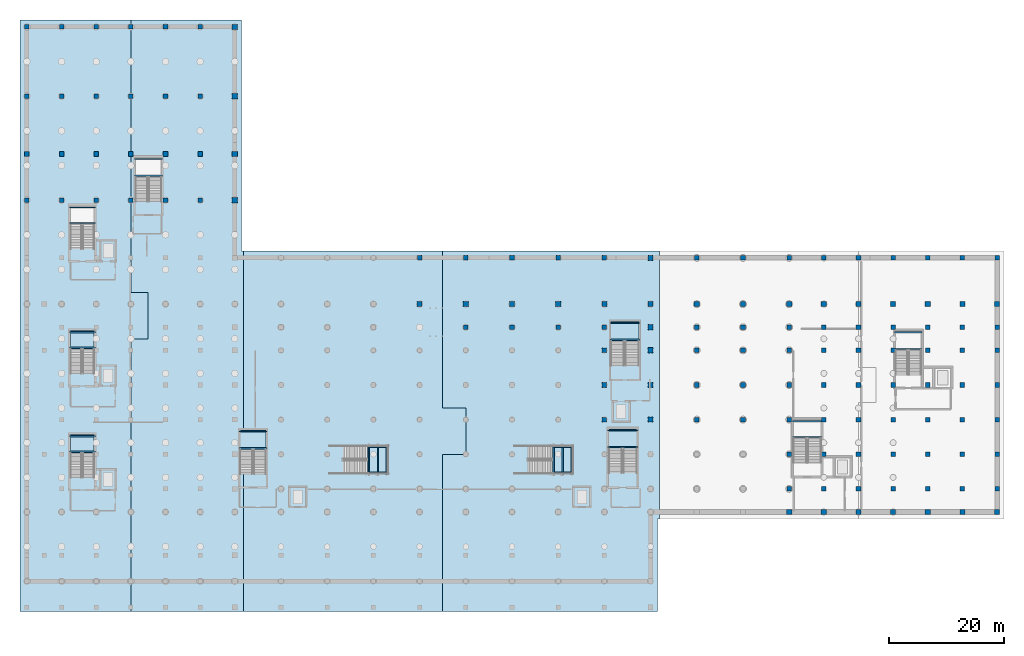
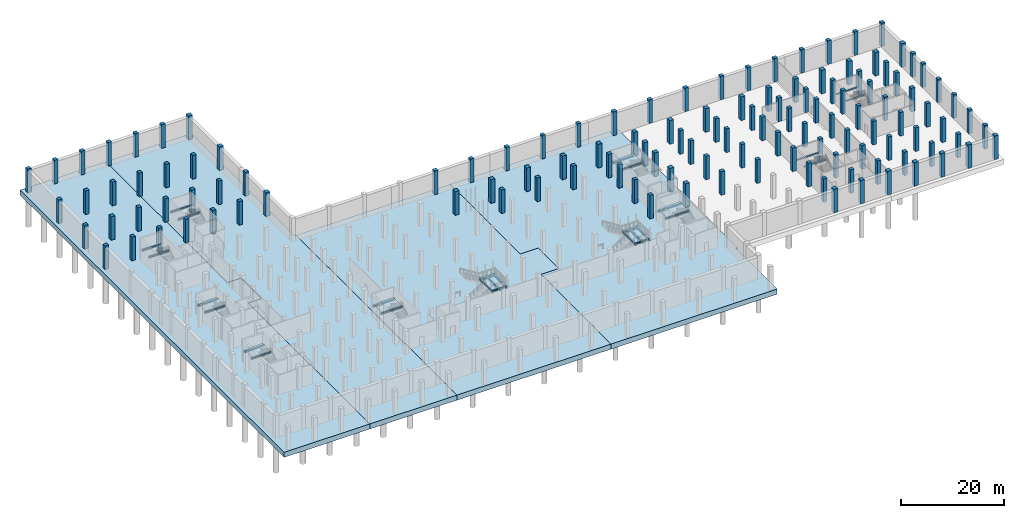
# One storey, part 8 of 26: 126 columns, 28 beams, 11 slabs, 7 elements without a shape of their own.
"""IFC4 building model written with IfcOpenShell, lengths in metres."""

from ifc_helpers import new_model, si_unit, direction, frame, origin, origin_2d, place, context, subcontext, project, spatial, polyline, rectangle, i_section, outline, extrude, material, layer, layer_set, material_profile, profile_set, type_object, element, aggregate, save


model = new_model("IFC4")

# Units and contexts
model_context = context("Model", 3, precision=1e-05, world=origin(), true_north=direction((0.0, 1.0)))
body_context = subcontext(model_context, "Body", "Model", "MODEL_VIEW")
ifc_project = project(units=[si_unit("LENGTHUNIT", "METRE"), si_unit("AREAUNIT", "SQUARE_METRE"), si_unit("VOLUMEUNIT", "CUBIC_METRE"), si_unit("PLANEANGLEUNIT", "RADIAN"), si_unit("MASSUNIT", "GRAM", prefix="KILO")], contexts=[model_context])

# Site, building, storey
site_placement = place(None, origin())
site = spatial("IfcSite", under=ifc_project, at=site_placement, CompositionType="ELEMENT")
building_placement = place(site_placement, origin())
building = spatial("IfcBuilding", under=site, at=building_placement, Name="Verrall Gate Interchange", CompositionType="ELEMENT")
storey_placement = place(building_placement, frame((0.0, 0.0, -10.39990234375)))
storey = spatial("IfcBuildingStorey", under=building, at=storey_placement, Name="B2", CompositionType="ELEMENT", Elevation=-10.39990234375)

# Columns
ifc_material_1 = material(Name="Concrete CSA A23.1 40 MPa (Class N)", Category="concrete")
ifc_material_profile_1 = material_profile(ifc_material_1, rectangle(XDim=0.89990234375, YDim=0.89990234375, at=origin_2d()), Name="RC900x900")
ifc_profile_set_1 = profile_set([ifc_material_profile_1], Name="Concrete CSA A23.1 40 MPa (Class N)")
column_type_1 = type_object("IfcColumnType", Name="C-01 Column RC900x900", PredefinedType="COLUMN", material=ifc_profile_set_1)
for number, where, z_axis, x_axis, name in (
    (1, (36.0, 66.0, 0.0), (0.0, 0.0, 1.0), (1.0, 0.0, 0.0), "B2 Column COL-B2-0802 (C-01)"),
    (2, (36.0, 74.0, 0.0), (0.0, 0.0, 1.0), (1.0, 0.0, 0.0), "B2 Column COL-B2-0809 (C-01)"),
    (3, (36.0, 84.0, 0.0), (0.0, 0.0, 1.0), (1.0, 0.0, 0.0), "B2 Column COL-B2-0815 (C-01)"),
    (4, (36.0, 96.0, 0.0), (0.0, 0.0, 1.0), (1.0, 0.0, 0.0), "B2 Column COL-B2-0820 (C-01)"),
    (5, (68.0, 48.0, 0.0), (0.0, 0.0, 1.0), (1.0, 0.0, 0.0), "B2 Column COL-B2-0962 (C-01)"),
    (6, (76.0, 48.0, 0.0), (0.0, 0.0, 1.0), (1.0, 0.0, 0.0), "B2 Column COL-B2-1000 (C-01)"),
    (7, (84.0, 48.0, 0.0), (0.0, 0.0, 1.0), (1.0, 0.0, 0.0), "B2 Column COL-B2-1038 (C-01)"),
    (8, (92.0, 48.0, 0.0), (0.0, 0.0, 1.0), (1.0, 0.0, 0.0), "B2 Column COL-B2-1074 (C-01)"),
    (9, (100.0, 48.0, 0.0), (0.0, 0.0, 1.0), (1.0, 0.0, 0.0), "B2 Column COL-B2-1112 (C-01)"),
    (10, (108.0, 28.0, 0.0), (0.0, 0.0, 1.0), (1.0, 0.0, 0.0), "B2 Column COL-B2-1142 (C-01)"),
    (11, (108.0, 34.0, 0.0), (0.0, 0.0, 1.0), (1.0, 0.0, 0.0), "B2 Column COL-B2-1146 (C-01)"),
    (12, (108.0, 40.0, 0.0), (0.0, 0.0, 1.0), (1.0, 0.0, 0.0), "B2 Column COL-B2-1150 (C-01)"),
    (13, (108.0, 44.0, 0.0), (0.0, 0.0, 1.0), (1.0, 0.0, 0.0), "B2 Column COL-B2-1154 (C-01)"),
    (14, (108.0, 48.0, 0.0), (0.0, 0.0, 1.0), (1.0, 0.0, 0.0), "B2 Column COL-B2-1158 (C-01)"),
    (15, (108.0, 56.0, 0.0), (0.0, 0.0, 1.0), (1.0, 0.0, 0.0), "B2 Column COL-B2-1162 (C-01)"),
    (16, (116.0, 48.0, 0.0), (0.0, 0.0, 1.0), (1.0, 0.0, 0.0), "B2 Column COL-B2-1180 (C-01)"),
    (17, (124.0, 48.0, 0.0), (0.0, 0.0, 1.0), (1.0, 0.0, 0.0), "B2 Column COL-B2-1202 (C-01)"),
    (18, (132.0, 12.0, 0.0), (0.0, 0.0, 1.0), (1.0, 0.0, 0.0), "B2 Column COL-B2-1210 (C-01)"),
    (19, (132.0, 48.0, 0.0), (0.0, 0.0, 1.0), (1.0, 0.0, 0.0), "B2 Column COL-B2-1245 (C-01)"),
    (20, (138.0, 12.0, 0.0), (0.0, 0.0, 1.0), (1.0, 0.0, 0.0), "B2 Column COL-B2-1253 (C-01)"),
    (21, (138.0, 48.0, 0.0), (0.0, 0.0, 1.0), (1.0, 0.0, 0.0), "B2 Column COL-B2-1288 (C-01)"),
    (22, (144.0, 12.0, 0.0), (0.0, 0.0, 1.0), (1.0, 0.0, 0.0), "B2 Column COL-B2-1296 (C-01)"),
    (23, (144.0, 48.0, 0.0), (0.0, 0.0, 1.0), (1.0, 0.0, 0.0), "B2 Column COL-B2-1331 (C-01)"),
    (24, (150.0, 12.0, 0.0), (0.0, 0.0, 1.0), (1.0, 0.0, 0.0), "B2 Column COL-B2-1339 (C-01)"),
    (25, (150.0, 48.0, 0.0), (0.0, 0.0, 1.0), (1.0, 0.0, 0.0), "B2 Column COL-B2-1374 (C-01)"),
    (26, (156.0, 12.0, 0.0), (0.0, 0.0, 1.0), (1.0, 0.0, 0.0), "B2 Column COL-B2-1382 (C-01)"),
    (27, (156.0, 48.0, 0.0), (0.0, 0.0, 1.0), (1.0, 0.0, 0.0), "B2 Column COL-B2-1417 (C-01)"),
    (28, (162.0, 12.0, 0.0), (0.0, 0.0, 1.0), (1.0, 0.0, 0.0), "B2 Column COL-B2-1425 (C-01)"),
    (29, (162.0, 48.0, 0.0), (0.0, 0.0, 1.0), (1.0, 0.0, 0.0), "B2 Column COL-B2-1460 (C-01)"),
    (30, (168.0, 12.0, 0.0), (0.0, 0.0, 1.0), (1.0, 0.0, 0.0), "B2 Column COL-B2-1468 (C-01)"),
    (31, (168.0, 48.0, 0.0), (0.0, 0.0, 1.0), (1.0, 0.0, 0.0), "B2 Column COL-B2-1503 (C-01)"),
):
    element("IfcColumn", number, at=place(storey_placement, frame(where, z_axis=z_axis, x_axis=x_axis)), inside=storey, type_object=column_type_1, Name=name, PredefinedType="COLUMN", context=body_context, shape_type="SweptSolid", body=[
        extrude(rectangle(XDim=0.89990234375, YDim=0.89990234375, at=origin_2d()), origin(), (0.0, 0.0, 1.0), 5.599853515625),
    ])
ifc_material_2 = material(Name="Concrete CSA A23.1 40 MPa (Class N)", Category="concrete")
ifc_material_profile_2 = material_profile(ifc_material_2, rectangle(XDim=0.800048828125, YDim=0.800048828125, at=origin_2d()), Name="RC800x800")
ifc_profile_set_2 = profile_set([ifc_material_profile_2], Name="Concrete CSA A23.1 40 MPa (Class N)")
column_type_2 = type_object("IfcColumnType", Name="C-02 Column RC800x800", PredefinedType="COLUMN", material=ifc_profile_set_2)
for number, where, z_axis, x_axis, name in (
    (32, (0.0, 66.0, 0.0), (0.0, 0.0, 1.0), (1.0, 0.0, 0.0), "B2 Column COL-B2-0079 (C-02)"),
    (33, (0.0, 74.0, 0.0), (0.0, 0.0, 1.0), (1.0, 0.0, 0.0), "B2 Column COL-B2-0086 (C-02)"),
    (34, (0.0, 84.0, 0.0), (0.0, 0.0, 1.0), (1.0, 0.0, 0.0), "B2 Column COL-B2-0092 (C-02)"),
    (35, (0.0, 96.0, 0.0), (0.0, 0.0, 1.0), (1.0, 0.0, 0.0), "B2 Column COL-B2-0097 (C-02)"),
    (36, (6.0, 66.0, 0.0), (0.0, 0.0, 1.0), (1.0, 0.0, 0.0), "B2 Column COL-B2-0224 (C-02)"),
    (37, (6.0, 74.0, 0.0), (0.0, 0.0, 1.0), (1.0, 0.0, 0.0), "B2 Column COL-B2-0231 (C-02)"),
    (38, (6.0, 84.0, 0.0), (0.0, 0.0, 1.0), (1.0, 0.0, 0.0), "B2 Column COL-B2-0237 (C-02)"),
    (39, (6.0, 96.0, 0.0), (0.0, 0.0, 1.0), (1.0, 0.0, 0.0), "B2 Column COL-B2-0242 (C-02)"),
    (40, (12.0, 66.0, 0.0), (0.0, 0.0, 1.0), (1.0, 0.0, 0.0), "B2 Column COL-B2-0341 (C-02)"),
    (41, (12.0, 74.0, 0.0), (0.0, 0.0, 1.0), (1.0, 0.0, 0.0), "B2 Column COL-B2-0348 (C-02)"),
    (42, (12.0, 84.0, 0.0), (0.0, 0.0, 1.0), (1.0, 0.0, 0.0), "B2 Column COL-B2-0354 (C-02)"),
    (43, (12.0, 96.0, 0.0), (0.0, 0.0, 1.0), (1.0, 0.0, 0.0), "B2 Column COL-B2-0359 (C-02)"),
    (44, (18.0, 66.0, 0.0), (0.0, 0.0, 1.0), (1.0, 0.0, 0.0), "B2 Column COL-B2-0458 (C-02)"),
    (45, (18.0, 74.0, 0.0), (0.0, 0.0, 1.0), (1.0, 0.0, 0.0), "B2 Column COL-B2-0465 (C-02)"),
    (46, (18.0, 84.0, 0.0), (0.0, 0.0, 1.0), (1.0, 0.0, 0.0), "B2 Column COL-B2-0471 (C-02)"),
    (47, (18.0, 96.0, 0.0), (0.0, 0.0, 1.0), (1.0, 0.0, 0.0), "B2 Column COL-B2-0476 (C-02)"),
    (48, (24.0, 66.0, 0.0), (0.0, 0.0, 1.0), (1.0, 0.0, 0.0), "B2 Column COL-B2-0575 (C-02)"),
    (49, (24.0, 74.0, 0.0), (0.0, 0.0, 1.0), (1.0, 0.0, 0.0), "B2 Column COL-B2-0582 (C-02)"),
    (50, (24.0, 84.0, 0.0), (0.0, 0.0, 1.0), (1.0, 0.0, 0.0), "B2 Column COL-B2-0588 (C-02)"),
    (51, (24.0, 96.0, 0.0), (0.0, 0.0, 1.0), (1.0, 0.0, 0.0), "B2 Column COL-B2-0593 (C-02)"),
    (52, (30.0, 66.0, 0.0), (0.0, 0.0, 1.0), (1.0, 0.0, 0.0), "B2 Column COL-B2-0692 (C-02)"),
    (53, (30.0, 74.0, 0.0), (0.0, 0.0, 1.0), (1.0, 0.0, 0.0), "B2 Column COL-B2-0699 (C-02)"),
    (54, (30.0, 84.0, 0.0), (0.0, 0.0, 1.0), (1.0, 0.0, 0.0), "B2 Column COL-B2-0705 (C-02)"),
    (55, (30.0, 96.0, 0.0), (0.0, 0.0, 1.0), (1.0, 0.0, 0.0), "B2 Column COL-B2-0710 (C-02)"),
    (56, (68.0, 56.0, 0.0), (0.0, 0.0, 1.0), (1.0, 0.0, 0.0), "B2 Column COL-B2-0966 (C-02)"),
    (57, (76.0, 44.0, 0.0), (0.0, 0.0, 1.0), (1.0, 0.0, 0.0), "B2 Column COL-B2-0996 (C-02)"),
    (58, (76.0, 56.0, 0.0), (0.0, 0.0, 1.0), (1.0, 0.0, 0.0), "B2 Column COL-B2-1004 (C-02)"),
    (59, (84.0, 44.0, 0.0), (0.0, 0.0, 1.0), (1.0, 0.0, 0.0), "B2 Column COL-B2-1034 (C-02)"),
    (60, (84.0, 56.0, 0.0), (0.0, 0.0, 1.0), (1.0, 0.0, 0.0), "B2 Column COL-B2-1042 (C-02)"),
    (61, (92.0, 44.0, 0.0), (0.0, 0.0, 1.0), (1.0, 0.0, 0.0), "B2 Column COL-B2-1070 (C-02)"),
    (62, (92.0, 56.0, 0.0), (0.0, 0.0, 1.0), (1.0, 0.0, 0.0), "B2 Column COL-B2-1078 (C-02)"),
    (63, (100.0, 28.0, 0.0), (0.0, 0.0, 1.0), (1.0, 0.0, 0.0), "B2 Column COL-B2-1102 (C-02)"),
    (64, (100.0, 34.0, 0.0), (0.0, 0.0, 1.0), (1.0, 0.0, 0.0), "B2 Column COL-B2-1104 (C-02)"),
    (65, (100.0, 40.0, 0.0), (0.0, 0.0, 1.0), (1.0, 0.0, 0.0), "B2 Column COL-B2-1106 (C-02)"),
    (66, (100.0, 44.0, 0.0), (0.0, 0.0, 1.0), (1.0, 0.0, 0.0), "B2 Column COL-B2-1108 (C-02)"),
    (67, (100.0, 56.0, 0.0), (0.0, 0.0, 1.0), (1.0, 0.0, 0.0), "B2 Column COL-B2-1116 (C-02)"),
    (68, (116.0, 28.0, 0.0), (0.0, 0.0, 1.0), (1.0, 0.0, 0.0), "B2 Column COL-B2-1172 (C-02)"),
    (69, (116.0, 34.0, 0.0), (0.0, 0.0, 1.0), (1.0, 0.0, 0.0), "B2 Column COL-B2-1174 (C-02)"),
    (70, (116.0, 40.0, 0.0), (0.0, 0.0, 1.0), (1.0, 0.0, 0.0), "B2 Column COL-B2-1176 (C-02)"),
    (71, (116.0, 44.0, 0.0), (0.0, 0.0, 1.0), (1.0, 0.0, 0.0), "B2 Column COL-B2-1178 (C-02)"),
    (72, (116.0, 56.0, 0.0), (0.0, 0.0, 1.0), (1.0, 0.0, 0.0), "B2 Column COL-B2-1184 (C-02)"),
    (73, (124.0, 28.0, 0.0), (0.0, 0.0, 1.0), (1.0, 0.0, 0.0), "B2 Column COL-B2-1194 (C-02)"),
    (74, (124.0, 34.0, 0.0), (0.0, 0.0, 1.0), (1.0, 0.0, 0.0), "B2 Column COL-B2-1196 (C-02)"),
    (75, (124.0, 40.0, 0.0), (0.0, 0.0, 1.0), (1.0, 0.0, 0.0), "B2 Column COL-B2-1198 (C-02)"),
    (76, (124.0, 44.0, 0.0), (0.0, 0.0, 1.0), (1.0, 0.0, 0.0), "B2 Column COL-B2-1200 (C-02)"),
    (77, (124.0, 56.0, 0.0), (0.0, 0.0, 1.0), (1.0, 0.0, 0.0), "B2 Column COL-B2-1206 (C-02)"),
    (78, (132.0, 16.0, 0.0), (0.0, 0.0, 1.0), (1.0, 0.0, 0.0), "B2 Column COL-B2-1215 (C-02)"),
    (79, (132.0, 22.0, 0.0), (0.0, 0.0, 1.0), (1.0, 0.0, 0.0), "B2 Column COL-B2-1220 (C-02)"),
    (80, (132.0, 28.0, 0.0), (0.0, 0.0, 1.0), (1.0, 0.0, 0.0), "B2 Column COL-B2-1225 (C-02)"),
    (81, (132.0, 34.0, 0.0), (0.0, 0.0, 1.0), (1.0, 0.0, 0.0), "B2 Column COL-B2-1230 (C-02)"),
    (82, (132.0, 40.0, 0.0), (0.0, 0.0, 1.0), (1.0, 0.0, 0.0), "B2 Column COL-B2-1235 (C-02)"),
    (83, (132.0, 44.0, 0.0), (0.0, 0.0, 1.0), (1.0, 0.0, 0.0), "B2 Column COL-B2-1240 (C-02)"),
    (84, (132.0, 56.0, 0.0), (0.0, 0.0, 1.0), (1.0, 0.0, 0.0), "B2 Column COL-B2-1249 (C-02)"),
    (85, (138.0, 16.0, 0.0), (0.0, 0.0, 1.0), (1.0, 0.0, 0.0), "B2 Column COL-B2-1258 (C-02)"),
    (86, (138.0, 22.0, 0.0), (0.0, 0.0, 1.0), (1.0, 0.0, 0.0), "B2 Column COL-B2-1263 (C-02)"),
    (87, (138.0, 28.0, 0.0), (0.0, 0.0, 1.0), (1.0, 0.0, 0.0), "B2 Column COL-B2-1268 (C-02)"),
    (88, (138.0, 34.0, 0.0), (0.0, 0.0, 1.0), (1.0, 0.0, 0.0), "B2 Column COL-B2-1273 (C-02)"),
    (89, (138.0, 40.0, 0.0), (0.0, 0.0, 1.0), (1.0, 0.0, 0.0), "B2 Column COL-B2-1278 (C-02)"),
    (90, (138.0, 44.0, 0.0), (0.0, 0.0, 1.0), (1.0, 0.0, 0.0), "B2 Column COL-B2-1283 (C-02)"),
    (91, (138.0, 56.0, 0.0), (0.0, 0.0, 1.0), (1.0, 0.0, 0.0), "B2 Column COL-B2-1292 (C-02)"),
    (92, (144.0, 16.0, 0.0), (0.0, 0.0, 1.0), (1.0, 0.0, 0.0), "B2 Column COL-B2-1301 (C-02)"),
    (93, (144.0, 22.0, 0.0), (0.0, 0.0, 1.0), (1.0, 0.0, 0.0), "B2 Column COL-B2-1306 (C-02)"),
    (94, (144.0, 28.0, 0.0), (0.0, 0.0, 1.0), (1.0, 0.0, 0.0), "B2 Column COL-B2-1311 (C-02)"),
    (95, (144.0, 34.0, 0.0), (0.0, 0.0, 1.0), (1.0, 0.0, 0.0), "B2 Column COL-B2-1316 (C-02)"),
    (96, (144.0, 40.0, 0.0), (0.0, 0.0, 1.0), (1.0, 0.0, 0.0), "B2 Column COL-B2-1321 (C-02)"),
    (97, (144.0, 44.0, 0.0), (0.0, 0.0, 1.0), (1.0, 0.0, 0.0), "B2 Column COL-B2-1326 (C-02)"),
    (98, (144.0, 56.0, 0.0), (0.0, 0.0, 1.0), (1.0, 0.0, 0.0), "B2 Column COL-B2-1335 (C-02)"),
    (99, (150.0, 16.0, 0.0), (0.0, 0.0, 1.0), (1.0, 0.0, 0.0), "B2 Column COL-B2-1344 (C-02)"),
    (100, (150.0, 22.0, 0.0), (0.0, 0.0, 1.0), (1.0, 0.0, 0.0), "B2 Column COL-B2-1349 (C-02)"),
    (101, (150.0, 28.0, 0.0), (0.0, 0.0, 1.0), (1.0, 0.0, 0.0), "B2 Column COL-B2-1354 (C-02)"),
    (102, (150.0, 34.0, 0.0), (0.0, 0.0, 1.0), (1.0, 0.0, 0.0), "B2 Column COL-B2-1359 (C-02)"),
    (103, (150.0, 40.0, 0.0), (0.0, 0.0, 1.0), (1.0, 0.0, 0.0), "B2 Column COL-B2-1364 (C-02)"),
    (104, (150.0, 44.0, 0.0), (0.0, 0.0, 1.0), (1.0, 0.0, 0.0), "B2 Column COL-B2-1369 (C-02)"),
    (105, (150.0, 56.0, 0.0), (0.0, 0.0, 1.0), (1.0, 0.0, 0.0), "B2 Column COL-B2-1378 (C-02)"),
    (106, (156.0, 16.0, 0.0), (0.0, 0.0, 1.0), (1.0, 0.0, 0.0), "B2 Column COL-B2-1387 (C-02)"),
    (107, (156.0, 22.0, 0.0), (0.0, 0.0, 1.0), (1.0, 0.0, 0.0), "B2 Column COL-B2-1392 (C-02)"),
    (108, (156.0, 28.0, 0.0), (0.0, 0.0, 1.0), (1.0, 0.0, 0.0), "B2 Column COL-B2-1397 (C-02)"),
    (109, (156.0, 34.0, 0.0), (0.0, 0.0, 1.0), (1.0, 0.0, 0.0), "B2 Column COL-B2-1402 (C-02)"),
    (110, (156.0, 40.0, 0.0), (0.0, 0.0, 1.0), (1.0, 0.0, 0.0), "B2 Column COL-B2-1407 (C-02)"),
    (111, (156.0, 44.0, 0.0), (0.0, 0.0, 1.0), (1.0, 0.0, 0.0), "B2 Column COL-B2-1412 (C-02)"),
    (112, (156.0, 56.0, 0.0), (0.0, 0.0, 1.0), (1.0, 0.0, 0.0), "B2 Column COL-B2-1421 (C-02)"),
    (113, (162.0, 16.0, 0.0), (0.0, 0.0, 1.0), (1.0, 0.0, 0.0), "B2 Column COL-B2-1430 (C-02)"),
    (114, (162.0, 22.0, 0.0), (0.0, 0.0, 1.0), (1.0, 0.0, 0.0), "B2 Column COL-B2-1435 (C-02)"),
    (115, (162.0, 28.0, 0.0), (0.0, 0.0, 1.0), (1.0, 0.0, 0.0), "B2 Column COL-B2-1440 (C-02)"),
    (116, (162.0, 34.0, 0.0), (0.0, 0.0, 1.0), (1.0, 0.0, 0.0), "B2 Column COL-B2-1445 (C-02)"),
    (117, (162.0, 40.0, 0.0), (0.0, 0.0, 1.0), (1.0, 0.0, 0.0), "B2 Column COL-B2-1450 (C-02)"),
    (118, (162.0, 44.0, 0.0), (0.0, 0.0, 1.0), (1.0, 0.0, 0.0), "B2 Column COL-B2-1455 (C-02)"),
    (119, (162.0, 56.0, 0.0), (0.0, 0.0, 1.0), (1.0, 0.0, 0.0), "B2 Column COL-B2-1464 (C-02)"),
    (120, (168.0, 16.0, 0.0), (0.0, 0.0, 1.0), (1.0, 0.0, 0.0), "B2 Column COL-B2-1473 (C-02)"),
    (121, (168.0, 22.0, 0.0), (0.0, 0.0, 1.0), (1.0, 0.0, 0.0), "B2 Column COL-B2-1478 (C-02)"),
    (122, (168.0, 28.0, 0.0), (0.0, 0.0, 1.0), (1.0, 0.0, 0.0), "B2 Column COL-B2-1483 (C-02)"),
    (123, (168.0, 34.0, 0.0), (0.0, 0.0, 1.0), (1.0, 0.0, 0.0), "B2 Column COL-B2-1488 (C-02)"),
    (124, (168.0, 40.0, 0.0), (0.0, 0.0, 1.0), (1.0, 0.0, 0.0), "B2 Column COL-B2-1493 (C-02)"),
    (125, (168.0, 44.0, 0.0), (0.0, 0.0, 1.0), (1.0, 0.0, 0.0), "B2 Column COL-B2-1498 (C-02)"),
    (126, (168.0, 56.0, 0.0), (0.0, 0.0, 1.0), (1.0, 0.0, 0.0), "B2 Column COL-B2-1507 (C-02)"),
):
    element("IfcColumn", number, at=place(storey_placement, frame(where, z_axis=z_axis, x_axis=x_axis)), inside=storey, type_object=column_type_2, Name=name, PredefinedType="COLUMN", context=body_context, shape_type="SweptSolid", body=[
        extrude(rectangle(XDim=0.800048828125, YDim=0.800048828125, at=origin_2d()), origin(), (0.0, 0.0, 1.0), 5.599853515625),
    ])

# Beams
ifc_material_3 = material(Name="Structural Steel CSA G40.21 350W", Category="steel")
ifc_material_profile_3 = material_profile(ifc_material_3, i_section(OverallWidth=0.205078125, OverallDepth=0.35400390625, WebThickness=0.009521484375, FlangeThickness=0.016845703125, FilletRadius=0.012939453125, at=origin_2d()), Name="W360x79")
ifc_profile_set_3 = profile_set([ifc_material_profile_3], Name="Structural Steel CSA G40.21 350W")
beam_type = type_object("IfcBeamType", Name="B-14 Structural Beam W360x79", PredefinedType="BEAM", material=ifc_profile_set_3)
for number, where, z_axis, x_axis, name in (
    (127, (7.35009765625, 22.429931640625, 2.429931640625), (1.0, 0.0, 0.0), (0.0, 1.0, 0.0), "B2 Core C1 Mid-Landing Beam 1"),
    (128, (7.35009765625, 25.1201171875, 2.429931640625), (1.0, 0.0, 0.0), (0.0, 1.0, 0.0), "B2 Core C1 Mid-Landing Beam 2"),
    (129, (7.35009765625, 40.429931640625, 2.429931640625), (1.0, 0.0, 0.0), (0.0, 1.0, 0.0), "B2 Core C2 Mid-Landing Beam 1"),
    (130, (7.35009765625, 43.1201171875, 2.429931640625), (1.0, 0.0, 0.0), (0.0, 1.0, 0.0), "B2 Core C2 Mid-Landing Beam 2"),
    (131, (7.35009765625, 62.030029296875, 2.429931640625), (1.0, 0.0, 0.0), (0.0, 1.0, 0.0), "B2 Core C3 Mid-Landing Beam 1"),
    (132, (7.35009765625, 64.719970703125, 2.429931640625), (1.0, 0.0, 0.0), (0.0, 1.0, 0.0), "B2 Core C3 Mid-Landing Beam 2"),
):
    element("IfcBeam", number, at=place(storey_placement, frame(where, z_axis=z_axis, x_axis=x_axis)), inside=storey, type_object=beam_type, Name=name, PredefinedType="BEAM", context=body_context, shape_type="SweptSolid", body=[
        extrude(i_section(OverallWidth=0.205078125, OverallDepth=0.35400390625, WebThickness=0.009521484375, FlangeThickness=0.016845703125, FilletRadius=0.012939453125, at=origin_2d()), origin(), (0.0, 0.0, 1.0), 4.5),
    ])
for number, where, z_axis, x_axis, name in (
    (133, (18.6298828125, 70.22998046875, 2.429931640625), (1.0, 0.0, 0.0), (0.0, 1.0, 0.0), "B2 Core C4 Mid-Landing Beam 1"),
    (134, (18.6298828125, 73.1201171875, 2.429931640625), (1.0, 0.0, 0.0), (0.0, 1.0, 0.0), "B2 Core C4 Mid-Landing Beam 2"),
    (135, (36.72998046875, 23.030029296875, 2.429931640625), (1.0, 0.0, 0.0), (0.0, 1.0, 0.0), "B2 Core C5 Mid-Landing Beam 1"),
    (136, (36.72998046875, 25.919921875, 2.429931640625), (1.0, 0.0, 0.0), (0.0, 1.0, 0.0), "B2 Core C5 Mid-Landing Beam 2"),
):
    element("IfcBeam", number, at=place(storey_placement, frame(where, z_axis=z_axis, x_axis=x_axis)), inside=storey, type_object=beam_type, Name=name, PredefinedType="BEAM", context=body_context, shape_type="SweptSolid", body=[
        extrude(i_section(OverallWidth=0.205078125, OverallDepth=0.35400390625, WebThickness=0.009521484375, FlangeThickness=0.016845703125, FilletRadius=0.012939453125, at=origin_2d()), origin(), (0.0, 0.0, 1.0), 4.840087890625),
    ])
for number, where, z_axis, x_axis, name in (
    (137, (100.570068359375, 23.22998046875, 2.429931640625), (1.0, 0.0, 0.0), (0.0, 1.0, 0.0), "B2 Core C6 Mid-Landing Beam 1"),
    (138, (100.570068359375, 26.1201171875, 2.429931640625), (1.0, 0.0, 0.0), (0.0, 1.0, 0.0), "B2 Core C6 Mid-Landing Beam 2"),
):
    element("IfcBeam", number, at=place(storey_placement, frame(where, z_axis=z_axis, x_axis=x_axis)), inside=storey, type_object=beam_type, Name=name, PredefinedType="BEAM", context=body_context, shape_type="SweptSolid", body=[
        extrude(i_section(OverallWidth=0.205078125, OverallDepth=0.35400390625, WebThickness=0.009521484375, FlangeThickness=0.016845703125, FilletRadius=0.012939453125, at=origin_2d()), origin(), (0.0, 0.0, 1.0), 5.239990234375),
    ])
for number, where, z_axis, x_axis, name in (
    (139, (100.9599609375, 41.830078125, 2.429931640625), (1.0, 0.0, 0.0), (0.0, 1.0, 0.0), "B2 Core C7 Mid-Landing Beam 1"),
    (140, (100.9599609375, 44.719970703125, 2.429931640625), (1.0, 0.0, 0.0), (0.0, 1.0, 0.0), "B2 Core C7 Mid-Landing Beam 2"),
):
    element("IfcBeam", number, at=place(storey_placement, frame(where, z_axis=z_axis, x_axis=x_axis)), inside=storey, type_object=beam_type, Name=name, PredefinedType="BEAM", context=body_context, shape_type="SweptSolid", body=[
        extrude(i_section(OverallWidth=0.205078125, OverallDepth=0.35400390625, WebThickness=0.009521484375, FlangeThickness=0.016845703125, FilletRadius=0.012939453125, at=origin_2d()), origin(), (0.0, 0.0, 1.0), 5.179931640625),
    ])
for number, where, z_axis, x_axis, name in (
    (141, (132.5400390625, 25.010009765625, 2.429931640625), (1.0, 0.0, 0.0), (0.0, 1.0, 0.0), "B2 Core C8 Mid-Landing Beam 1"),
    (142, (132.5400390625, 27.719970703125, 2.429931640625), (1.0, 0.0, 0.0), (0.0, 1.0, 0.0), "B2 Core C8 Mid-Landing Beam 2"),
):
    element("IfcBeam", number, at=place(storey_placement, frame(where, z_axis=z_axis, x_axis=x_axis)), inside=storey, type_object=beam_type, Name=name, PredefinedType="BEAM", context=body_context, shape_type="SweptSolid", body=[
        extrude(i_section(OverallWidth=0.205078125, OverallDepth=0.35400390625, WebThickness=0.009521484375, FlangeThickness=0.016845703125, FilletRadius=0.012939453125, at=origin_2d()), origin(), (0.0, 0.0, 1.0), 5.139892578125),
    ])
for number, where, z_axis, x_axis, name in (
    (143, (150.260009765625, 40.22998046875, 2.429931640625), (1.0, 0.0, 0.0), (0.0, 1.0, 0.0), "B2 Core C9 Mid-Landing Beam 1"),
    (144, (150.260009765625, 43.1201171875, 2.429931640625), (1.0, 0.0, 0.0), (0.0, 1.0, 0.0), "B2 Core C9 Mid-Landing Beam 2"),
):
    element("IfcBeam", number, at=place(storey_placement, frame(where, z_axis=z_axis, x_axis=x_axis)), inside=storey, type_object=beam_type, Name=name, PredefinedType="BEAM", context=body_context, shape_type="SweptSolid", body=[
        extrude(i_section(OverallWidth=0.205078125, OverallDepth=0.35400390625, WebThickness=0.009521484375, FlangeThickness=0.016845703125, FilletRadius=0.012939453125, at=origin_2d()), origin(), (0.0, 0.0, 1.0), 4.780029296875),
    ])
for number, where, z_axis, x_axis, name in (
    (145, (59.22998046875, 18.43994140625, 2.429931640625), (0.0, 1.0, 0.0), (-1.0, 0.0, 0.0), "B2 ST-10 Mid-Landing Beam"),
    (146, (60.77490234375, 18.43994140625, 2.429931640625), (0.0, 1.0, 0.0), (-1.0, 0.0, 0.0), "B2 ST-10 Mid-Landing Beam"),
    (147, (62.320068359375, 18.43994140625, 2.429931640625), (0.0, 1.0, 0.0), (-1.0, 0.0, 0.0), "B2 ST-10 Mid-Landing Beam"),
):
    element("IfcBeam", number, at=place(storey_placement, frame(where, z_axis=z_axis, x_axis=x_axis)), inside=storey, type_object=beam_type, Name=name, PredefinedType="BEAM", context=body_context, shape_type="SweptSolid", body=[
        extrude(i_section(OverallWidth=0.205078125, OverallDepth=0.35400390625, WebThickness=0.009521484375, FlangeThickness=0.016845703125, FilletRadius=0.012939453125, at=origin_2d()), origin(), (0.0, 0.0, 1.0), 5.219970703125),
    ])
for number, where, z_axis, x_axis, name in (
    (148, (59.22998046875, 18.85009765625, 2.429931640625), (1.0, 0.0, 0.0), (0.0, 1.0, 0.0), "B2 ST-10 Mid-Landing Edge Beam 1"),
    (149, (59.22998046875, 23.25, 2.429931640625), (1.0, 0.0, 0.0), (0.0, 1.0, 0.0), "B2 ST-10 Mid-Landing Edge Beam 2"),
):
    element("IfcBeam", number, at=place(storey_placement, frame(where, z_axis=z_axis, x_axis=x_axis)), inside=storey, type_object=beam_type, Name=name, PredefinedType="BEAM", context=body_context, shape_type="SweptSolid", body=[
        extrude(i_section(OverallWidth=0.205078125, OverallDepth=0.35400390625, WebThickness=0.009521484375, FlangeThickness=0.016845703125, FilletRadius=0.012939453125, at=origin_2d()), origin(), (0.0, 0.0, 1.0), 3.090087890625),
    ])
for number, where, z_axis, x_axis, name in (
    (150, (91.22998046875, 18.43994140625, 2.429931640625), (0.0, 1.0, 0.0), (-1.0, 0.0, 0.0), "B2 ST-11 Mid-Landing Beam"),
    (151, (92.77490234375, 18.43994140625, 2.429931640625), (0.0, 1.0, 0.0), (-1.0, 0.0, 0.0), "B2 ST-11 Mid-Landing Beam"),
    (152, (94.320068359375, 18.43994140625, 2.429931640625), (0.0, 1.0, 0.0), (-1.0, 0.0, 0.0), "B2 ST-11 Mid-Landing Beam"),
):
    element("IfcBeam", number, at=place(storey_placement, frame(where, z_axis=z_axis, x_axis=x_axis)), inside=storey, type_object=beam_type, Name=name, PredefinedType="BEAM", context=body_context, shape_type="SweptSolid", body=[
        extrude(i_section(OverallWidth=0.205078125, OverallDepth=0.35400390625, WebThickness=0.009521484375, FlangeThickness=0.016845703125, FilletRadius=0.012939453125, at=origin_2d()), origin(), (0.0, 0.0, 1.0), 5.219970703125),
    ])
for number, where, z_axis, x_axis, name in (
    (153, (91.22998046875, 18.85009765625, 2.429931640625), (1.0, 0.0, 0.0), (0.0, 1.0, 0.0), "B2 ST-11 Mid-Landing Edge Beam 1"),
    (154, (91.22998046875, 23.25, 2.429931640625), (1.0, 0.0, 0.0), (0.0, 1.0, 0.0), "B2 ST-11 Mid-Landing Edge Beam 2"),
):
    element("IfcBeam", number, at=place(storey_placement, frame(where, z_axis=z_axis, x_axis=x_axis)), inside=storey, type_object=beam_type, Name=name, PredefinedType="BEAM", context=body_context, shape_type="SweptSolid", body=[
        extrude(i_section(OverallWidth=0.205078125, OverallDepth=0.35400390625, WebThickness=0.009521484375, FlangeThickness=0.016845703125, FilletRadius=0.012939453125, at=origin_2d()), origin(), (0.0, 0.0, 1.0), 3.090087890625),
    ])

# Slabs
ifc_material_4 = material(Name="Concrete CSA A23.1 35 MPa (Class S-2)", Category="concrete")
ifc_layer_1 = layer(ifc_material_4, 1.199951171875)
ifc_layer_set_1 = layer_set([ifc_layer_1], Name="Concrete CSA A23.1 35 MPa (Class S-2)")
slab_type_1 = type_object("IfcSlabType", Name="FS-01 Base Slab 1200", PredefinedType="BASESLAB", material=ifc_layer_set_1)
slab_1_placement = place(storey_placement, frame((0.0, 0.0, -1.2001953125)))
element("IfcSlab", 155, at=slab_1_placement, inside=storey, type_object=slab_type_1, Name="B2 Metro Station Piled Raft RAFT-B2-W1", PredefinedType="BASESLAB", context=body_context, shape_type="SweptSolid", body=[
    extrude(outline(polyline([(-1.199951171875, -5.199951171875), (-1.199951171875, 97.199951171875), (18.0, 97.199951171875), (18.0, 50.0), (21.0, 50.0), (21.0, 42.0), (18.0, 42.0), (18.0, -5.199951171875), (-1.199951171875, -5.199951171875)])), origin(), (0.0, 0.0, 1.0), 1.2001953125),
])
slab_2_placement = place(storey_placement, frame((0.0, 0.0, -1.2001953125)))
element("IfcSlab", 156, at=slab_2_placement, inside=storey, type_object=slab_type_1, Name="B2 Metro Station Piled Raft RAFT-B2-W2", PredefinedType="BASESLAB", context=body_context, shape_type="SweptSolid", body=[
    extrude(outline(polyline([(18.0, -5.199951171875), (18.0, 42.0), (21.0, 42.0), (21.0, 50.0), (18.0, 50.0), (18.0, 97.199951171875), (37.199951171875, 97.199951171875), (37.199951171875, 57.199951171875), (37.5, 57.199951171875), (37.5, -5.199951171875), (18.0, -5.199951171875)])), origin(), (0.0, 0.0, 1.0), 1.2001953125),
])
slab_3_placement = place(storey_placement, frame((0.0, 0.0, -1.2001953125)))
element("IfcSlab", 157, at=slab_3_placement, inside=storey, type_object=slab_type_1, Name="B2 Metro Station Piled Raft RAFT-B2-C1", PredefinedType="BASESLAB", context=body_context, shape_type="SweptSolid", body=[
    extrude(outline(polyline([(37.5, -5.199951171875), (37.5, 57.199951171875), (72.0, 57.199951171875), (72.0, 30.0), (76.0, 30.0), (76.0, 22.0), (72.0, 22.0), (72.0, -5.199951171875), (37.5, -5.199951171875)])), origin(), (0.0, 0.0, 1.0), 1.2001953125),
])
slab_4_placement = place(storey_placement, frame((0.0, 0.0, -1.2001953125)))
element("IfcSlab", 158, at=slab_4_placement, inside=storey, type_object=slab_type_1, Name="B2 Metro Station Piled Raft RAFT-B2-C2", PredefinedType="BASESLAB", context=body_context, shape_type="SweptSolid", body=[
    extrude(outline(polyline([(72.0, -5.199951171875), (72.0, 22.0), (76.0, 22.0), (76.0, 30.0), (72.0, 30.0), (72.0, 57.199951171875), (109.5, 57.199951171875), (109.5, 10.800048828125), (109.199951171875, 10.800048828125), (109.199951171875, -5.199951171875), (72.0, -5.199951171875)])), origin(), (0.0, 0.0, 1.0), 1.2001953125),
])

# Stair, slab
ifc_material_5 = material(Name="Concrete CSA A23.1 40 MPa (Class N)", Category="concrete")
stair_type_1 = type_object("IfcStairType", Name="ST-T01 Straight-Flight Return Exit Stair W1950 H5600", PredefinedType="STRAIGHT_RUN_STAIR", material=ifc_material_5)
stair_1_placement = place(storey_placement, origin())
stair_1 = element("IfcStair", 159, at=stair_1_placement, inside=storey, type_object=stair_type_1, Name="B2 ST-01", PredefinedType="STRAIGHT_RUN_STAIR")
ifc_material_6 = material(Name="Concrete CSA A23.1 40 MPa (Class N)", Category="concrete")
ifc_layer_2 = layer(ifc_material_6, 0.18994140625)
ifc_layer_set_2 = layer_set([ifc_layer_2], Name="Concrete CSA A23.1 40 MPa (Class N)")
slab_type_2 = type_object("IfcSlabType", Name="LS-01 Stair Landing Slab 190", PredefinedType="LANDING", material=ifc_layer_set_2)
slab_5_placement = place(storey_placement, frame((0.0, 0.0, 2.599853515625)))
slab_5 = element("IfcSlab", 160, at=slab_5_placement, type_object=slab_type_2, Name="ST-01 landing 1", PredefinedType="LANDING", context=body_context, shape_type="SweptSolid", body=[
    extrude(outline(polyline([(11.64990234375, 22.14990234375), (11.64990234375, 25.39990234375), (7.550048828125, 25.39990234375), (7.550048828125, 22.14990234375), (11.64990234375, 22.14990234375)])), origin(), (0.0, 0.0, 1.0), 0.199951171875),
])
aggregate(stair_1, [slab_5])

stair_2_placement = place(storey_placement, origin())
stair_2 = element("IfcStair", 161, at=stair_2_placement, inside=storey, type_object=stair_type_1, Name="B2 ST-02", PredefinedType="STRAIGHT_RUN_STAIR")
slab_6_placement = place(storey_placement, frame((0.0, 0.0, 2.599853515625)))
slab_6 = element("IfcSlab", 162, at=slab_6_placement, type_object=slab_type_2, Name="ST-02 landing 1", PredefinedType="LANDING", context=body_context, shape_type="SweptSolid", body=[
    extrude(outline(polyline([(11.64990234375, 40.14990234375), (11.64990234375, 43.39990234375), (7.550048828125, 43.39990234375), (7.550048828125, 40.14990234375), (11.64990234375, 40.14990234375)])), origin(), (0.0, 0.0, 1.0), 0.199951171875),
])
aggregate(stair_2, [slab_6])

ifc_material_7 = material(Name="Concrete CSA A23.1 40 MPa (Class N)", Category="concrete")
stair_type_2 = type_object("IfcStairType", Name="ST-T07 Straight-Flight Return Exit Stair W2150 H5600", PredefinedType="STRAIGHT_RUN_STAIR", material=ifc_material_7)
stair_3_placement = place(storey_placement, origin())
stair_3 = element("IfcStair", 163, at=stair_3_placement, inside=storey, type_object=stair_type_2, Name="B2 ST-05", PredefinedType="STRAIGHT_RUN_STAIR")
slab_7_placement = place(storey_placement, frame((0.0, 0.0, 2.599853515625)))
slab_7 = element("IfcSlab", 164, at=slab_7_placement, type_object=slab_type_2, Name="ST-05 landing 1", PredefinedType="LANDING", context=body_context, shape_type="SweptSolid", body=[
    extrude(outline(polyline([(41.39990234375, 22.75), (41.39990234375, 26.199951171875), (36.89990234375, 26.199951171875), (36.89990234375, 22.75), (41.39990234375, 22.75)])), origin(), (0.0, 0.0, 1.0), 0.199951171875),
])
aggregate(stair_3, [slab_7])

ifc_material_8 = material(Name="Concrete CSA A23.1 40 MPa (Class N)", Category="concrete")
stair_type_3 = type_object("IfcStairType", Name="ST-T11 Straight-Flight Return Exit Stair W2350 H5600", PredefinedType="STRAIGHT_RUN_STAIR", material=ifc_material_8)
stair_4_placement = place(storey_placement, origin())
stair_4 = element("IfcStair", 165, at=stair_4_placement, inside=storey, type_object=stair_type_3, Name="B2 ST-06", PredefinedType="STRAIGHT_RUN_STAIR")
slab_8_placement = place(storey_placement, frame((0.0, 0.0, 2.599853515625)))
slab_8 = element("IfcSlab", 166, at=slab_8_placement, type_object=slab_type_2, Name="ST-06 landing 1", PredefinedType="LANDING", context=body_context, shape_type="SweptSolid", body=[
    extrude(outline(polyline([(105.639892578125, 22.949951171875), (105.639892578125, 26.39990234375), (100.739990234375, 26.39990234375), (100.739990234375, 22.949951171875), (105.639892578125, 22.949951171875)])), origin(), (0.0, 0.0, 1.0), 0.199951171875),
])
aggregate(stair_4, [slab_8])

stair_5_placement = place(storey_placement, origin())
stair_5 = element("IfcStair", 167, at=stair_5_placement, inside=storey, type_object=stair_type_3, Name="B2 ST-07", PredefinedType="STRAIGHT_RUN_STAIR")
slab_9_placement = place(storey_placement, frame((0.0, 0.0, 2.599853515625)))
slab_9 = element("IfcSlab", 168, at=slab_9_placement, type_object=slab_type_2, Name="ST-07 landing 1", PredefinedType="LANDING", context=body_context, shape_type="SweptSolid", body=[
    extrude(outline(polyline([(106.0, 41.550048828125), (106.0, 45.0), (101.10009765625, 45.0), (101.10009765625, 41.550048828125), (106.0, 41.550048828125)])), origin(), (0.0, 0.0, 1.0), 0.199951171875),
])
aggregate(stair_5, [slab_9])

stair_6_placement = place(storey_placement, origin())
stair_6 = element("IfcStair", 169, at=stair_6_placement, inside=storey, type_object=stair_type_3, Name="B2 ST-10", PredefinedType="STRAIGHT_RUN_STAIR")
slab_10_placement = place(storey_placement, frame((0.0, 0.0, 2.599853515625)))
slab_10 = element("IfcSlab", 170, at=slab_10_placement, type_object=slab_type_2, Name="ST-10 landing 1", PredefinedType="LANDING", context=body_context, shape_type="SweptSolid", body=[
    extrude(outline(polyline([(58.949951171875, 18.60009765625), (62.60009765625, 18.60009765625), (62.60009765625, 23.5), (58.949951171875, 23.5), (58.949951171875, 18.60009765625)])), origin(), (0.0, 0.0, 1.0), 0.199951171875),
])
aggregate(stair_6, [slab_10])

stair_7_placement = place(storey_placement, origin())
stair_7 = element("IfcStair", 171, at=stair_7_placement, inside=storey, type_object=stair_type_3, Name="B2 ST-11", PredefinedType="STRAIGHT_RUN_STAIR")
slab_11_placement = place(storey_placement, frame((0.0, 0.0, 2.599853515625)))
slab_11 = element("IfcSlab", 172, at=slab_11_placement, type_object=slab_type_2, Name="ST-11 landing 1", PredefinedType="LANDING", context=body_context, shape_type="SweptSolid", body=[
    extrude(outline(polyline([(90.949951171875, 18.60009765625), (94.60009765625, 18.60009765625), (94.60009765625, 23.5), (90.949951171875, 23.5), (90.949951171875, 18.60009765625)])), origin(), (0.0, 0.0, 1.0), 0.199951171875),
])
aggregate(stair_7, [slab_11])

save(model, "model.ifc")
